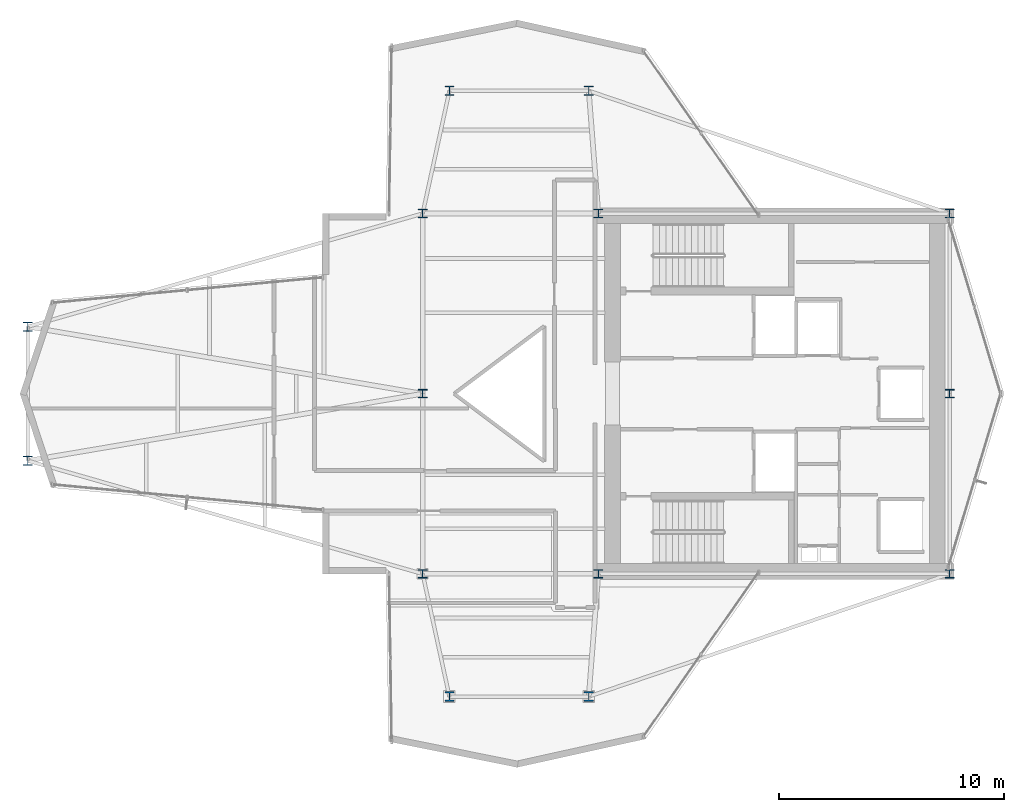
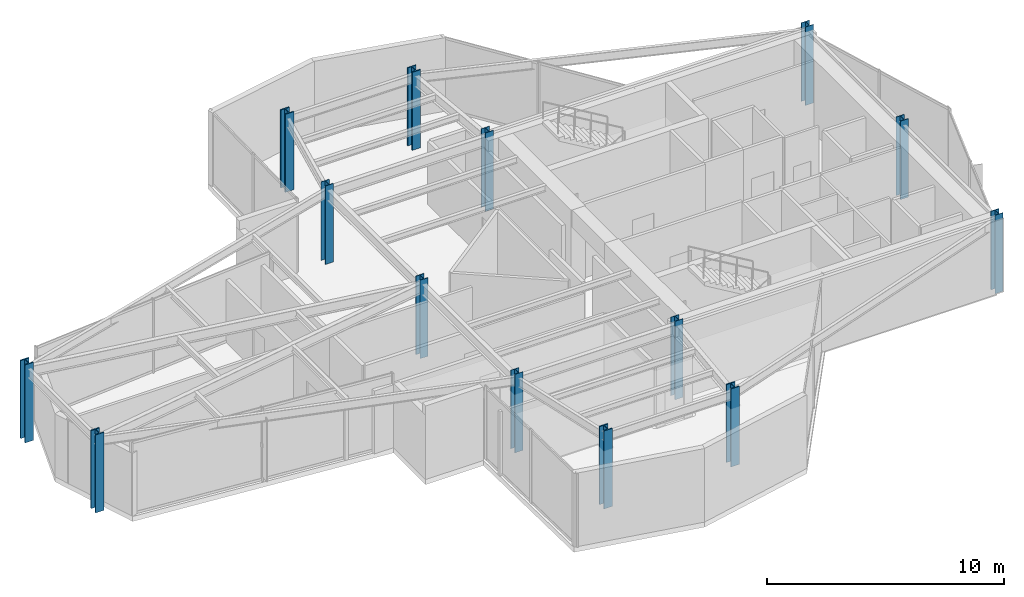
# One storey, part 1 of 24: 14 columns.
"""IFC4 building model written with IfcOpenShell, lengths in metres."""

import ifcopenshell
import ifcopenshell.guid

model = None  # the IFC model being written
_history = None  # IfcOwnerHistory: only IFC2X3 demands one
_inside = {}  # id of a spatial element -> (the spatial element, [elements in it])
_under = {}  # id of a project, library or spatial element -> (it, [spatial elements below it])
_declared = {}  # id of a project -> (the project, [libraries it declares])
_typed = {}  # id of a type object -> (the type object, [elements of that type])
_made_of = {}  # id of a material, layer set ... -> (it, [elements and type objects made of it])


def new_model(schema):
    """Start an empty IFC model of exactly this schema.

    Asked for "IFC4X3", IfcOpenShell would pick the latest addendum, in which some entities
    have other attributes; the version numbers below select the first issue.
    IFC2X3 requires an IfcOwnerHistory on every rooted entity: one is made here for all.
    """
    global model, _history
    if schema == "IFC4X3":
        model = ifcopenshell.file(schema_version=(4, 3, 0, 0))
    else:
        model = ifcopenshell.file(schema=schema)
    _inside.clear()
    _under.clear()
    _declared.clear()
    _typed.clear()
    _made_of.clear()
    _history = None
    if model.schema == "IFC2X3":
        org = make("IfcOrganization", Name="unknown")
        user = make(
            "IfcPersonAndOrganization",
            ThePerson=make("IfcPerson", FamilyName="unknown"),
            TheOrganization=org,
        )
        app = make(
            "IfcApplication",
            ApplicationDeveloper=org,
            Version="unknown",
            ApplicationFullName="unknown",
            ApplicationIdentifier="unknown",
        )
        _history = make(
            "IfcOwnerHistory",
            OwningUser=user,
            OwningApplication=app,
            ChangeAction="ADDED",
            CreationDate=0,
        )
    return model


def make(cls, **values):
    """One entity of the class cls with the attributes given. An attribute that is None is left unset."""
    return model.create_entity(
        cls, **{name: value for name, value in values.items() if value is not None}
    )


def rooted(cls, **values):
    """An entity with a GlobalId (a new one), such as an element, a storey or a relation."""
    return make(cls, GlobalId=ifcopenshell.guid.new(), OwnerHistory=_history, **values)


def si_unit(unit_type, name, prefix=None):
    """IfcSIUnit, for example si_unit("LENGTHUNIT", "METRE", prefix="MILLI")."""
    return make("IfcSIUnit", UnitType=unit_type, Prefix=prefix, Name=name)


def assignment(units):
    """IfcUnitAssignment: the units of a project."""
    return None if units is None else make("IfcUnitAssignment", Units=units)


def point(xyz):
    """IfcCartesianPoint."""
    return None if xyz is None else make("IfcCartesianPoint", Coordinates=xyz)


def direction(xyz):
    """IfcDirection."""
    return None if xyz is None else make("IfcDirection", DirectionRatios=xyz)


def frame(location, z_axis=None, x_axis=None):
    """IfcAxis2Placement3D, a coordinate frame: its origin and axes. An axis left out is left unset."""
    return make(
        "IfcAxis2Placement3D",
        Location=point(location),
        Axis=direction(z_axis),
        RefDirection=direction(x_axis),
    )


def frame_2d(location, x_axis=None):
    """IfcAxis2Placement2D, a coordinate frame in the plane: its origin and x axis."""
    return make(
        "IfcAxis2Placement2D", Location=point(location), RefDirection=direction(x_axis)
    )


def origin():
    """The frame at (0, 0, 0) with its axes left unset."""
    return frame((0.0, 0.0, 0.0))


def origin_2d():
    """The frame at (0, 0) in the plane with its x axis left unset."""
    return frame_2d((0.0, 0.0))


def place(relative_to, where):
    """IfcLocalPlacement: puts the frame where relative to a parent placement (None: the world)."""
    return make(
        "IfcLocalPlacement", PlacementRelTo=relative_to, RelativePlacement=where
    )


def context(
    kind, dimensions, precision=None, world=None, true_north=None, identifier=None
):
    """IfcGeometricRepresentationContext, for example the 3D "Model" context."""
    return make(
        "IfcGeometricRepresentationContext",
        ContextIdentifier=identifier,
        ContextType=kind,
        CoordinateSpaceDimension=dimensions,
        Precision=precision,
        WorldCoordinateSystem=world,
        TrueNorth=true_north,
    )


def subcontext(parent, identifier, kind, view, scale=None):
    """IfcGeometricRepresentationSubContext, for example "Body" below "Model"."""
    return make(
        "IfcGeometricRepresentationSubContext",
        ContextIdentifier=identifier,
        ContextType=kind,
        ParentContext=parent,
        TargetScale=scale,
        TargetView=view,
    )


def project(units=None, contexts=None):
    """IfcProject with its units and contexts."""
    return rooted(
        "IfcProject",
        Name="project",
        RepresentationContexts=contexts,
        UnitsInContext=assignment(units),
    )


def spatial(cls, under=None, at=None, **own):
    """A site, building, storey or space (cls), placed at a placement, below another one or the project."""
    s = rooted(cls, ObjectPlacement=at, **own)
    if under is not None:
        _under.setdefault(under.id(), (under, []))[1].append(s)
    return s


def profile(cls, at=None, kind="AREA", **sizes):
    """A parametric profile (cls). Its sizes go by their IFC names, for example OverallWidth=200.0."""
    return make(cls, ProfileType=kind, Position=at, **sizes)


def i_section(**sizes):
    """IfcIShapeProfileDef."""
    return profile("IfcIShapeProfileDef", **sizes)


def extrude(swept, where, along, depth):
    """IfcExtrudedAreaSolid: the profile swept, set in the frame where, extruded along a direction by depth."""
    return make(
        "IfcExtrudedAreaSolid",
        SweptArea=swept,
        Position=where,
        ExtrudedDirection=direction(along),
        Depth=depth,
    )


def shape(context_of_items, identifier, shape_type, items):
    """IfcShapeRepresentation: the items that make up one representation, for example the "Body"."""
    return make(
        "IfcShapeRepresentation",
        ContextOfItems=context_of_items,
        RepresentationIdentifier=identifier,
        RepresentationType=shape_type,
        Items=items,
    )


def material(Name=None, Category=None):
    """IfcMaterial."""
    return make("IfcMaterial", Name=Name, Category=Category)


def material_profile(
    of_material, cross_section, Name=None, Category=None, Priority=None
):
    """IfcMaterialProfile: a cross section and its material."""
    return make(
        "IfcMaterialProfile",
        Name=Name,
        Material=of_material,
        Profile=cross_section,
        Priority=Priority,
        Category=Category,
    )


def profile_set(profiles, Name=None, composite=None):
    """IfcMaterialProfileSet."""
    return make(
        "IfcMaterialProfileSet",
        Name=Name,
        MaterialProfiles=profiles,
        CompositeProfile=composite,
    )


def made_of(thing, what):
    """Note that an element or type object is made of a material, layer set ...; save() writes the relation."""
    if what is not None:
        _made_of.setdefault(what.id(), (what, []))[1].append(thing)
    return thing


def type_object(cls, material=None, **own):
    """A type object (cls), such as IfcWallType, which elements share."""
    return made_of(rooted(cls, **own), material)


def element(
    cls,
    number,
    at=None,
    inside=None,
    cuts=None,
    type_object=None,
    material=None,
    context=None,
    identifier="Body",
    shape_type=None,
    held_by="IfcProductDefinitionShape",
    body=None,
    shapes=None,
    **own,
):
    """One element of the class cls, such as IfcWall. Its Tag is "e" and its number.

    at: its placement. inside: the storey or other place that contains it. cuts: it is an
    opening in that element (IfcRelVoidsElement). A single representation is given by context,
    identifier, shape_type and body (its items); several are given by shapes. held_by: the class
    of the entity that holds the representations. save() writes the other relations.
    """
    e = rooted(cls, Tag="e%d" % number, ObjectPlacement=at, **own)
    if body is not None:
        shapes = [shape(context, identifier, shape_type, body)]
    if shapes is not None:
        e.Representation = make(held_by, Representations=shapes)
    if inside is not None:
        _inside.setdefault(inside.id(), (inside, []))[1].append(e)
    if cuts is not None:
        rooted(
            "IfcRelVoidsElement", RelatingBuildingElement=cuts, RelatedOpeningElement=e
        )
    if type_object is not None:
        _typed.setdefault(type_object.id(), (type_object, []))[1].append(e)
    return made_of(e, material)


def aggregate(whole, parts):
    """IfcRelAggregates: a whole, such as a stair, and the parts it consists of."""
    return rooted("IfcRelAggregates", RelatingObject=whole, RelatedObjects=parts)


def save(model, path):
    """Write the relations noted so far, then the file.

    IfcRelAggregates (storeys below a building ...), IfcRelContainedInSpatialStructure (elements
    in a storey), IfcRelDefinesByType, IfcRelAssociatesMaterial and IfcRelDeclares: one each for
    every whole, place, type object, material and project.
    """
    for whole, parts in _under.values():
        aggregate(whole, parts)
    for where, things in _inside.values():
        rooted(
            "IfcRelContainedInSpatialStructure",
            RelatedElements=things,
            RelatingStructure=where,
        )
    for kind, things in _typed.values():
        rooted("IfcRelDefinesByType", RelatedObjects=things, RelatingType=kind)
    for what, things in _made_of.values():
        rooted("IfcRelAssociatesMaterial", RelatedObjects=things, RelatingMaterial=what)
    for by, libraries in _declared.values():
        rooted("IfcRelDeclares", RelatingContext=by, RelatedDefinitions=libraries)
    model.write(path)


model = new_model("IFC4")

# Units and contexts
model_context = context("Model", 3, precision=1e-05, world=origin(), true_north=direction((0.0, 1.0)))
body_context = subcontext(model_context, "Body", "Model", "MODEL_VIEW")
ifc_project = project(units=[si_unit("LENGTHUNIT", "METRE"), si_unit("AREAUNIT", "SQUARE_METRE"), si_unit("VOLUMEUNIT", "CUBIC_METRE"), si_unit("PLANEANGLEUNIT", "RADIAN"), si_unit("MASSUNIT", "GRAM", prefix="KILO")], contexts=[model_context])

# Site, building, storey
site_placement = place(None, origin())
site = spatial("IfcSite", under=ifc_project, at=site_placement, CompositionType="ELEMENT")
building_placement = place(site_placement, origin())
building = spatial("IfcBuilding", under=site, at=building_placement, Name="Veymaron Broadcast Tower", CompositionType="ELEMENT")
storey_placement = place(building_placement, frame((0.0, 0.0, 220.199951171875)))
storey = spatial("IfcBuildingStorey", under=building, at=storey_placement, Name="L51", CompositionType="ELEMENT", Elevation=220.199951171875)

# Columns
ifc_material_1 = material(Name="Structural steel ASTM A992 Gr 50", Category="steel")
ifc_material_profile_1 = material_profile(ifc_material_1, i_section(OverallWidth=0.39404296875, OverallDepth=0.375, WebThickness=0.017333984375, FlangeThickness=0.027587890625, at=origin_2d()), Name="W360X216")
ifc_profile_set_1 = profile_set([ifc_material_profile_1], Name="Structural steel ASTM A992 Gr 50")
column_type_1 = type_object("IfcColumnType", Name="COL-HC3", PredefinedType="COLUMN", material=ifc_profile_set_1)
for number, where, z_axis, x_axis, name in (
    (1, (31.199951171875, 16.0, 0.0), (0.0, 0.0, 1.0), (1.0, 0.0, 0.0), "L51 structural hub and core column"),
    (2, (31.199951171875, 24.0, 0.0), (0.0, 0.0, 1.0), (1.0, 0.0, 0.0), "L51 structural hub and core column"),
    (3, (31.199951171875, 32.0, 0.0), (0.0, 0.0, 1.0), (1.0, 0.0, 0.0), "L51 structural hub and core column"),
    (4, (39.0, 16.0, 0.0), (0.0, 0.0, 1.0), (1.0, 0.0, 0.0), "L51 structural hub and core column"),
    (5, (39.0, 32.0, 0.0), (0.0, 0.0, 1.0), (1.0, 0.0, 0.0), "L51 structural hub and core column"),
    (6, (54.60009765625, 16.0, 0.0), (0.0, 0.0, 1.0), (1.0, 0.0, 0.0), "L51 structural hub and core column"),
    (7, (54.60009765625, 24.0, 0.0), (0.0, 0.0, 1.0), (1.0, 0.0, 0.0), "L51 structural hub and core column"),
    (8, (54.60009765625, 32.0, 0.0), (0.0, 0.0, 1.0), (1.0, 0.0, 0.0), "L51 structural hub and core column"),
):
    element("IfcColumn", number, at=place(storey_placement, frame(where, z_axis=z_axis, x_axis=x_axis)), inside=storey, type_object=column_type_1, Name=name, PredefinedType="COLUMN", context=body_context, shape_type="SweptSolid", body=[
        extrude(i_section(OverallWidth=0.39404296875, OverallDepth=0.375, WebThickness=0.017333984375, FlangeThickness=0.027587890625, at=origin_2d()), origin(), (0.0, 0.0, 1.0), 4.0439453125),
    ])
ifc_material_2 = material(Name="Structural steel ASTM A913 Gr 65", Category="steel")
ifc_material_profile_2 = material_profile(ifc_material_2, i_section(OverallWidth=0.412109375, OverallDepth=0.43505859375, WebThickness=0.035888671875, FlangeThickness=0.05810546875, at=origin_2d()), Name="W360X463")
ifc_profile_set_2 = profile_set([ifc_material_profile_2], Name="Structural steel ASTM A913 Gr 65")
column_type_2 = type_object("IfcColumnType", Name="COL-MC3", PredefinedType="COLUMN", material=ifc_profile_set_2)
for number, where, z_axis, x_axis, name in (
    (9, (13.6650390625, 21.02490234375, 0.01611328125), (0.0, 0.0, 1.0), (1.0, 0.0, 0.0), "L51 Tapered Wing Mega Column"),
    (10, (13.6650390625, 26.97509765625, 0.01611328125), (0.0, 0.0, 1.0), (1.0, 0.0, 0.0), "L51 Tapered Wing Mega Column"),
    (11, (32.389892578125, 37.449951171875, 0.01611328125), (0.0, 0.0, 1.0), (1.0, 0.0, 0.0), "L51 Tapered Wing Mega Column"),
    (12, (38.574951171875, 37.449951171875, 0.01611328125), (0.0, 0.0, 1.0), (1.0, 0.0, 0.0), "L51 Tapered Wing Mega Column"),
    (13, (32.389892578125, 10.550048828125, 0.01611328125), (0.0, 0.0, 1.0), (1.0, 0.0, 0.0), "L51 Tapered Wing Mega Column"),
    (14, (38.574951171875, 10.550048828125, 0.01611328125), (0.0, 0.0, 1.0), (1.0, 0.0, 0.0), "L51 Tapered Wing Mega Column"),
):
    element("IfcColumn", number, at=place(storey_placement, frame(where, z_axis=z_axis, x_axis=x_axis)), inside=storey, type_object=column_type_2, Name=name, PredefinedType="COLUMN", context=body_context, shape_type="SweptSolid", body=[
        extrude(i_section(OverallWidth=0.412109375, OverallDepth=0.43505859375, WebThickness=0.035888671875, FlangeThickness=0.05810546875, at=origin_2d()), origin(), (0.0, 0.0, 1.0), 4.017822265625),
    ])

save(model, "model.ifc")
